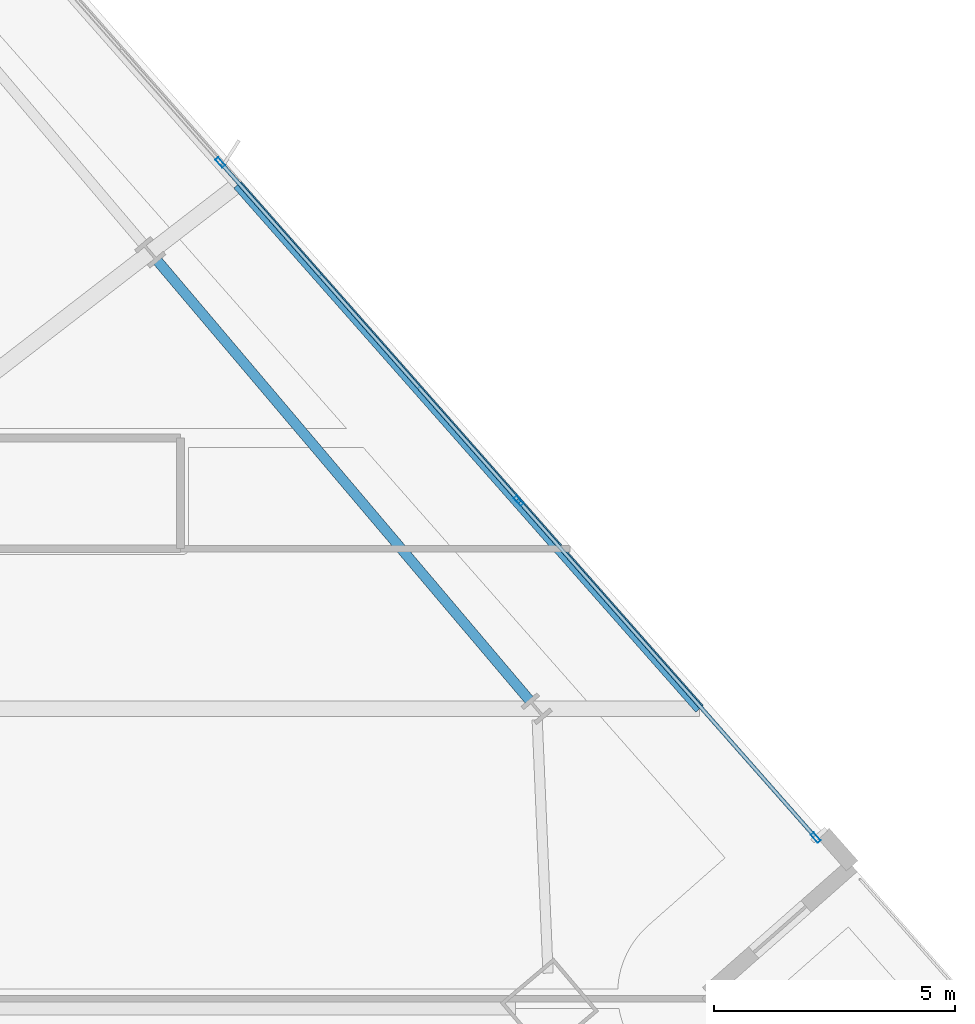
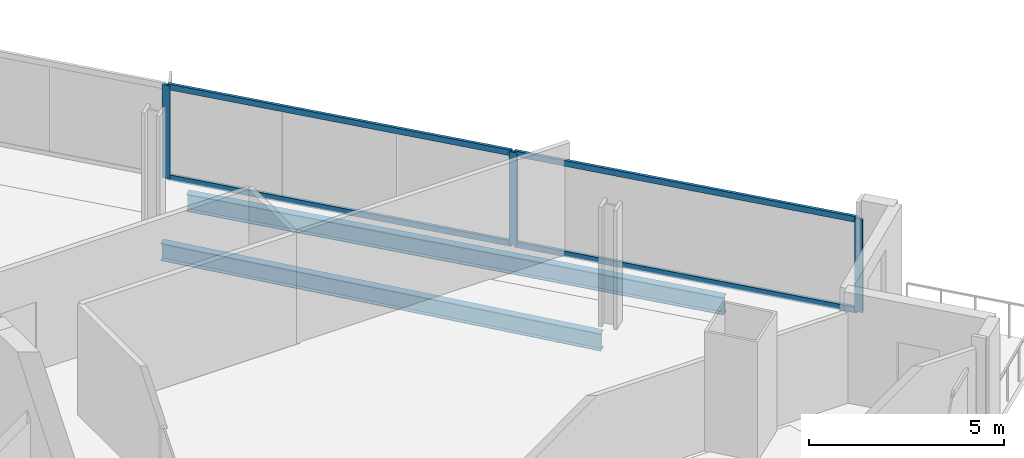
# One storey, part 22 of 34: 7 members, 2 beams, 1 element without a shape of its own.
"""IFC4 building model written with IfcOpenShell, lengths in metres."""

from ifc_helpers import new_model, si_unit, direction, frame, origin, origin_2d, place, context, subcontext, project, spatial, hollow_rectangle, i_section, extrude, material, material_profile, profile_set, type_object, element, aggregate, save


model = new_model("IFC4")

# Units and contexts
model_context = context("Model", 3, precision=1e-05, world=origin(), true_north=direction((0.0, 1.0)))
body_context = subcontext(model_context, "Body", "Model", "MODEL_VIEW")
ifc_project = project(units=[si_unit("LENGTHUNIT", "METRE"), si_unit("AREAUNIT", "SQUARE_METRE"), si_unit("VOLUMEUNIT", "CUBIC_METRE"), si_unit("PLANEANGLEUNIT", "RADIAN"), si_unit("MASSUNIT", "GRAM", prefix="KILO")], contexts=[model_context])

# Site, building, storey
site_placement = place(None, origin())
site = spatial("IfcSite", under=ifc_project, at=site_placement, CompositionType="ELEMENT")
building_placement = place(site_placement, origin())
building = spatial("IfcBuilding", under=site, at=building_placement, Name="Haldenkirk Collegiate Tower", CompositionType="ELEMENT")
storey_placement = place(building_placement, frame((0.0, 0.0, 166.949951171875)))
storey = spatial("IfcBuildingStorey", under=building, at=storey_placement, Name="L41", CompositionType="ELEMENT", Elevation=166.949951171875)

# Beams
ifc_material_1 = material(Name="Steel ASTM A992 Grade 50", Category="steel")
ifc_material_profile_1 = material_profile(ifc_material_1, i_section(OverallWidth=0.2119140625, OverallDepth=0.5439453125, WebThickness=0.01318359375, FlangeThickness=0.021240234375, at=origin_2d()), Name="W21X83")
ifc_profile_set_1 = profile_set([ifc_material_profile_1], Name="Steel ASTM A992 Grade 50")
beam_type = type_object("IfcBeamType", Name="BM-SPANDREL-W21X83", PredefinedType="SPANDREL", material=ifc_profile_set_1)
beam_1_placement = place(storey_placement, frame((61.051513671875, 30.998779296875, -0.56201171875), z_axis=(-0.646116898468, 0.763238464383, 0.0), x_axis=(-0.763238464383, -0.646116898468, 0.0)))
element("IfcBeam", 1, at=beam_1_placement, inside=storey, type_object=beam_type, Name="L41 perimeter spandrel beam 06", PredefinedType="SPANDREL", context=body_context, shape_type="SweptSolid", body=[
    extrude(i_section(OverallWidth=0.2119140625, OverallDepth=0.5439453125, WebThickness=0.01318359375, FlangeThickness=0.021240234375, at=origin_2d()), origin(), (0.0, 0.0, 1.0), 11.967041015625),
])
beam_2_placement = place(storey_placement, frame((64.58203125, 30.82421875, -0.56201171875), z_axis=(-0.661317181493, 0.750106382763, 0.0), x_axis=(-0.750106382763, -0.661317181493, 0.0)))
element("IfcBeam", 2, at=beam_2_placement, inside=storey, type_object=beam_type, Name="L41 outer facade edge beam 2A", PredefinedType="SPANDREL", context=body_context, shape_type="SweptSolid", body=[
    extrude(i_section(OverallWidth=0.2119140625, OverallDepth=0.5439453125, WebThickness=0.01318359375, FlangeThickness=0.021240234375, at=origin_2d()), origin(), (0.0, 0.0, 1.0), 14.510009765625),
])

# Curtain wall, members
ifc_material_2 = material(Name="Anodised architectural bronze aluminium", Category="aluminium")
curtain_wall_type = type_object("IfcCurtainWallType", Name="CW-SYS1-CONVEX-LOW", PredefinedType="USERDEFINED", material=ifc_material_2)
curtain_wall_placement = place(storey_placement, origin())
curtain_wall = element("IfcCurtainWall", 3, at=curtain_wall_placement, inside=storey, type_object=curtain_wall_type, Name="L41 Lower tower convex bronze-framed unitised curtain wall", ObjectType="UNITISED CURTAIN WALL", PredefinedType="USERDEFINED")
ifc_material_profile_2 = material_profile(ifc_material_2, hollow_rectangle(XDim=0.080078125, YDim=0.219970703125, WallThickness=0.0048828125, at=origin_2d()), Name="CW-MUL-1A")
ifc_profile_set_2 = profile_set([ifc_material_profile_2], Name="Anodised architectural bronze aluminium")
member_type_1 = type_object("IfcMemberType", Name="CW-MUL-1A", PredefinedType="MULLION", material=ifc_profile_set_2)
member_1_placement = place(storey_placement, frame((54.629150390625, 42.173828125, 0.0), z_axis=(0.0, 0.0, 1.0), x_axis=(0.750111591701, 0.66131127315, 0.0)))
member_1 = element("IfcMember", 4, at=member_1_placement, type_object=member_type_1, Name="CW-1A mullion 3", PredefinedType="MULLION", context=body_context, shape_type="SweptSolid", body=[
    extrude(hollow_rectangle(XDim=0.080078125, YDim=0.219970703125, WallThickness=0.0048828125, at=origin_2d()), origin(), (0.0, 0.0, 1.0), 2.9111328125),
])
member_2_placement = place(storey_placement, frame((60.824951171875, 35.146240234375, 0.0), z_axis=(0.0, 0.0, 1.0), x_axis=(0.750111591701, 0.66131127315, 0.0)))
member_2 = element("IfcMember", 5, at=member_2_placement, type_object=member_type_1, Name="CW-1A mullion 4", PredefinedType="MULLION", context=body_context, shape_type="SweptSolid", body=[
    extrude(hollow_rectangle(XDim=0.080078125, YDim=0.219970703125, WallThickness=0.0048828125, at=origin_2d()), origin(), (0.0, 0.0, 1.0), 2.9111328125),
])
member_3_placement = place(storey_placement, frame((66.994140625, 28.148681640625, 0.0), z_axis=(0.0, 0.0, 1.0), x_axis=(0.750111591701, 0.66131127315, 0.0)))
member_3 = element("IfcMember", 6, at=member_3_placement, type_object=member_type_1, Name="CW-1A mullion 5", PredefinedType="MULLION", context=body_context, shape_type="SweptSolid", body=[
    extrude(hollow_rectangle(XDim=0.080078125, YDim=0.219970703125, WallThickness=0.0048828125, at=origin_2d()), origin(), (0.0, 0.0, 1.0), 2.9111328125),
])
ifc_material_profile_3 = material_profile(ifc_material_2, hollow_rectangle(XDim=0.080078125, YDim=0.179931640625, WallThickness=0.0048828125, at=origin_2d()), Name="CW-TRN-1A")
ifc_profile_set_3 = profile_set([ifc_material_profile_3], Name="Anodised architectural bronze aluminium")
member_type_2 = type_object("IfcMemberType", Name="CW-TRN-1A", PredefinedType="USERDEFINED", material=ifc_profile_set_3)
member_4_placement = place(storey_placement, frame((54.65576171875, 42.14404296875, 0.0400390625), z_axis=(0.661306029355, -0.750116214689, 0.0), x_axis=(0.750116214689, 0.661306029355, 0.0)))
member_4 = element("IfcMember", 7, at=member_4_placement, type_object=member_type_2, Name="CW-1A transom 3.1", ObjectType="TRANSOM", PredefinedType="USERDEFINED", context=body_context, shape_type="SweptSolid", body=[
    extrude(hollow_rectangle(XDim=0.080078125, YDim=0.179931640625, WallThickness=0.0048828125, at=origin_2d()), origin(), (0.0, 0.0, 1.0), 9.288818359375),
])
member_5_placement = place(storey_placement, frame((54.65576171875, 42.14404296875, 2.87109375), z_axis=(0.661306029355, -0.750116214689, 0.0), x_axis=(0.750116214689, 0.661306029355, 0.0)))
member_5 = element("IfcMember", 8, at=member_5_placement, type_object=member_type_2, Name="CW-1A transom 3.2", ObjectType="TRANSOM", PredefinedType="USERDEFINED", context=body_context, shape_type="SweptSolid", body=[
    extrude(hollow_rectangle(XDim=0.080078125, YDim=0.179931640625, WallThickness=0.0048828125, at=origin_2d()), origin(), (0.0, 0.0, 1.0), 9.288818359375),
])
member_6_placement = place(storey_placement, frame((60.851318359375, 35.1162109375, 0.0400390625), z_axis=(0.661325620035, -0.750098942997, 0.0), x_axis=(0.750098942997, 0.661325620035, 0.0)))
member_6 = element("IfcMember", 9, at=member_6_placement, type_object=member_type_2, Name="CW-1A transom 4.1", ObjectType="TRANSOM", PredefinedType="USERDEFINED", context=body_context, shape_type="SweptSolid", body=[
    extrude(hollow_rectangle(XDim=0.080078125, YDim=0.179931640625, WallThickness=0.0048828125, at=origin_2d()), origin(), (0.0, 0.0, 1.0), 9.248779296875),
])
member_7_placement = place(storey_placement, frame((60.851318359375, 35.1162109375, 2.87109375), z_axis=(0.661325620035, -0.750098942997, 0.0), x_axis=(0.750098942997, 0.661325620035, 0.0)))
member_7 = element("IfcMember", 10, at=member_7_placement, type_object=member_type_2, Name="CW-1A transom 4.2", ObjectType="TRANSOM", PredefinedType="USERDEFINED", context=body_context, shape_type="SweptSolid", body=[
    extrude(hollow_rectangle(XDim=0.080078125, YDim=0.179931640625, WallThickness=0.0048828125, at=origin_2d()), origin(), (0.0, 0.0, 1.0), 9.248779296875),
])
aggregate(curtain_wall, [member_1, member_2, member_3, member_4, member_5, member_6, member_7])

save(model, "model.ifc")
